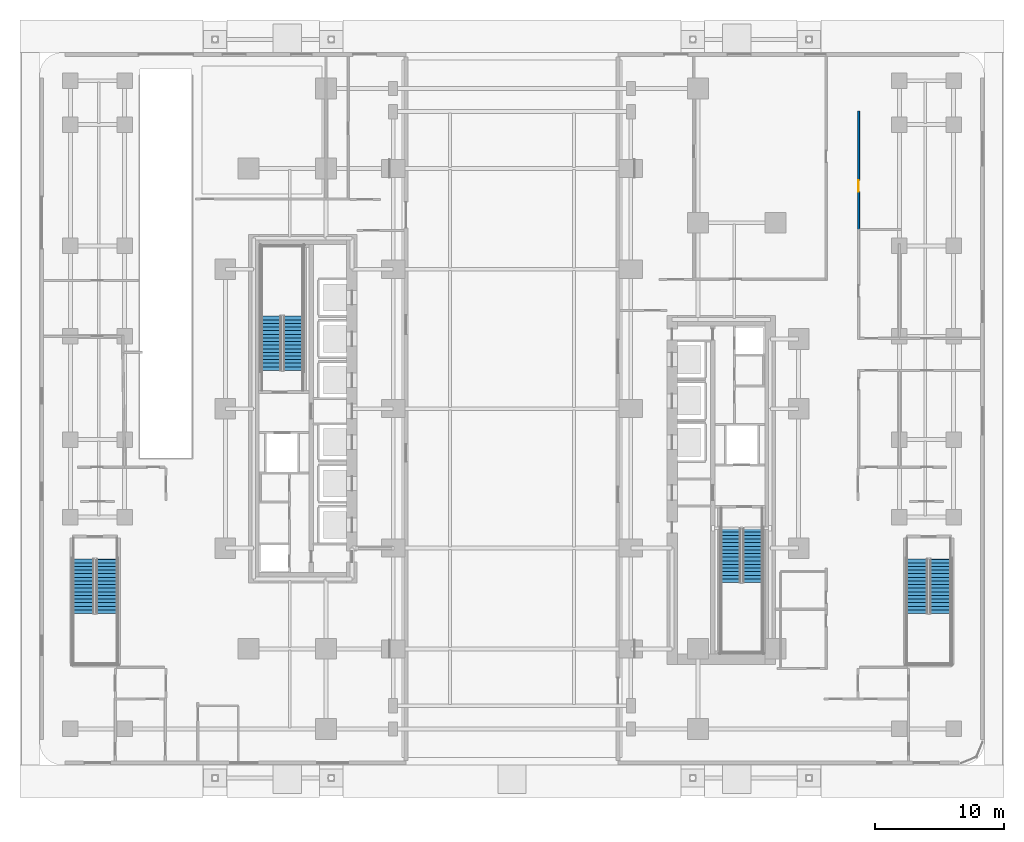
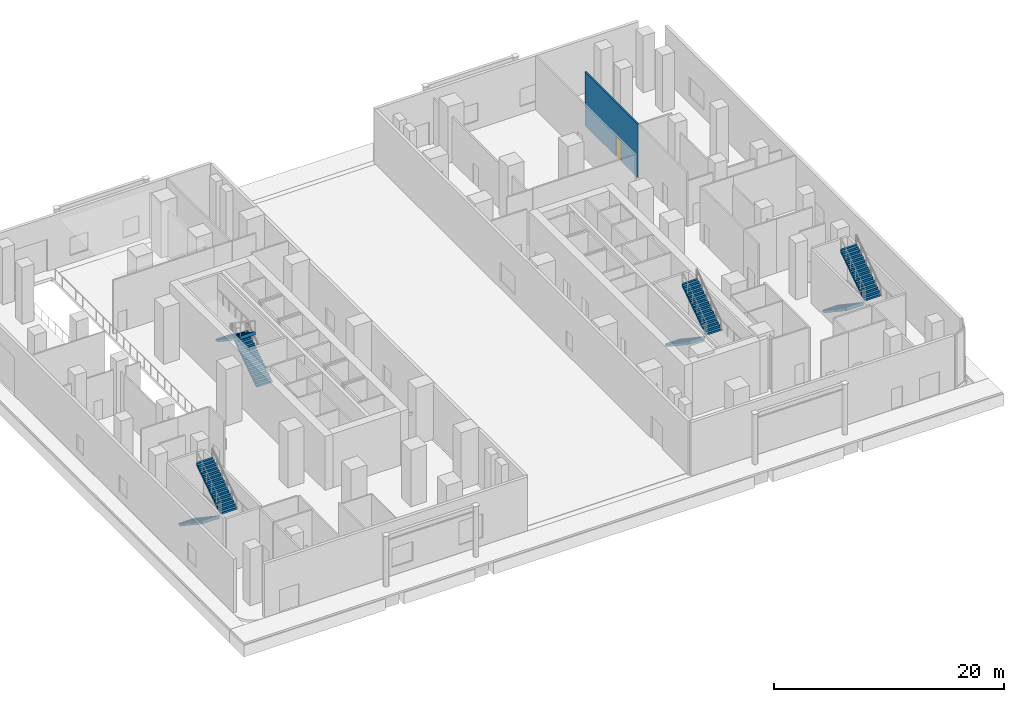
# One storey, part 14 of 22: 8 stair flights, 1 door, 1 wall, 1 opening, 4 elements without a shape of their own.
"""IFC4 building model written with IfcOpenShell, lengths in metres."""

from ifc_helpers import new_model, si_unit, direction, frame, frame_2d, origin, place, context, subcontext, project, spatial, polyline, rectangle, outline, extrude, material, layer, layer_set, type_object, element, fill, aggregate, save


model = new_model("IFC4")

# Units and contexts
model_context = context("Model", 3, precision=1e-05, world=origin(), true_north=direction((0.0, 1.0)))
body_context = subcontext(model_context, "Body", "Model", "MODEL_VIEW")
ifc_project = project(units=[si_unit("LENGTHUNIT", "METRE"), si_unit("AREAUNIT", "SQUARE_METRE"), si_unit("VOLUMEUNIT", "CUBIC_METRE"), si_unit("PLANEANGLEUNIT", "RADIAN"), si_unit("MASSUNIT", "GRAM", prefix="KILO")], contexts=[model_context])

# Site, building, storey
site_placement = place(None, origin())
site = spatial("IfcSite", under=ifc_project, at=site_placement, CompositionType="ELEMENT")
building_placement = place(site_placement, origin())
building = spatial("IfcBuilding", under=site, at=building_placement, Name="Khairoan Windgate Tower", CompositionType="ELEMENT")
storey_placement = place(building_placement, origin())
storey = spatial("IfcBuildingStorey", under=building, at=storey_placement, Name="L01", CompositionType="ELEMENT", Elevation=0.0)

# Wall, opening, door
ifc_material_1 = material(Name="Acoustic Fire-Rated Gypsum Partition", Category="gypsum")
ifc_layer_1 = layer(ifc_material_1, 0.14990234375, Name="Acoustic Fire-Rated Gypsum Partition")
ifc_layer_set_1 = layer_set([ifc_layer_1], Name="Acoustic Fire-Rated Gypsum Partition")
wall_type = type_object("IfcWallType", Name="Rated Corridor Partition Wall", PredefinedType="PARTITIONING", material=ifc_layer_set_1)
wall_placement = place(storey_placement, frame((26.840087890625, 13.8798828125, 0.0), z_axis=(0.0, 0.0, 1.0), x_axis=(0.0, 1.0, 0.0)))
wall = element("IfcWall", 1, at=wall_placement, inside=storey, type_object=wall_type, Name="L01 Interior Partition 030", PredefinedType="PARTITIONING", context=body_context, shape_type="SweptSolid", body=[
    extrude(rectangle(XDim=9.16015625, YDim=0.14990234375, at=frame_2d((4.580078125, 0.0))), origin(), (0.0, 0.0, 1.0), 5.699951171875),
])
opening_placement = place(wall_placement, frame((2.90673828125, 0.0, 0.0)))
opening = element("IfcOpeningElement", 2, at=opening_placement, cuts=wall, Name="Opening FD-ENT", PredefinedType="OPENING", context=body_context, shape_type="SweptSolid", body=[
    extrude(rectangle(XDim=0.89990234375, YDim=2.14990234375, at=frame_2d((0.449951171875, 1.074951171875))), frame((0.0, 0.0849609375, 0.0), z_axis=(0.0, -1.0, 0.0), x_axis=(1.0, 0.0, 0.0)), (0.0, 0.0, 1.0), 0.169921875),
])
ifc_material_2 = material(Name="Timber Fire-Rated Core", Category="wood")
door_type = type_object("IfcDoorType", Name="Unit and Office Fire Entrance Door FD-ENT 900x2150", OperationType="NOTDEFINED", PredefinedType="DOOR", material=ifc_material_2)
door_placement = place(opening_placement, origin())
door = element("IfcDoor", 3, at=door_placement, inside=storey, type_object=door_type, Name="L01 L01-50-L01-65 Door", OperationType="SINGLE_SWING_LEFT", OverallHeight=2.14990234375, OverallWidth=0.89990234375, PredefinedType="DOOR", context=body_context, shape_type="SweptSolid", body=[
    extrude(rectangle(XDim=0.89990234375, YDim=2.14990234375, at=frame_2d((0.449951171875, 1.074951171875))), frame((0.0, 0.02490234375, 0.0), z_axis=(0.0, -1.0, 0.0), x_axis=(1.0, 0.0, 0.0)), (0.0, 0.0, 1.0), 0.050048828125),
])
fill(opening, door)

# Stair, stair flights
ifc_material_3 = material(Name="Concrete C40/50", Category="concrete")
stair_type_1 = type_object("IfcStairType", Name="Podium Exit Dog-Leg Stair ST-T2 1660mm", PredefinedType="HALF_TURN_STAIR", material=ifc_material_3)
stair_1_placement = place(storey_placement, origin())
stair_1 = element("IfcStair", 4, at=stair_1_placement, inside=storey, type_object=stair_type_1, Name="L01 Stair ST3", PredefinedType="HALF_TURN_STAIR")
ifc_material_4 = material(Name="Concrete C40/50", Category="concrete")
ifc_layer_2 = layer(ifc_material_4, 0.14990234375, Name="Concrete C40/50")
ifc_layer_set_2 = layer_set([ifc_layer_2], Name="Concrete C40/50")
stair_flight_type_1 = type_object("IfcStairFlightType", Name="Podium Stair Flight STF-1660", PredefinedType="STRAIGHT", material=ifc_layer_set_2)
stair_flight_1_placement = place(storey_placement, frame((31.3798828125, -11.659912109375, 0.0), z_axis=(0.0, 0.0, 1.0), x_axis=(0.0, -1.0, 0.0)))
stair_flight_1 = element("IfcStairFlight", 5, at=stair_flight_1_placement, type_object=stair_flight_type_1, Name="ST3 flight 1", NumberOfRisers=16, NumberOfTreads=15, PredefinedType="STRAIGHT", RiserHeight=0.1875, TreadLength=0.28, context=body_context, shape_type="SweptSolid", body=[
    extrude(outline(polyline([(-0.00390625, 0.0), (-0.00390625, 0.1875), (0.0, 0.1875), (0.280029296875, 0.1875), (0.280029296875, 0.375), (0.56005859375, 0.375), (0.56005859375, 0.5625), (0.840087890625, 0.5625), (0.840087890625, 0.75), (1.1201171875, 0.75), (1.1201171875, 0.9375), (1.39990234375, 0.9375), (1.39990234375, 1.125), (1.679931640625, 1.125), (1.679931640625, 1.3125), (1.9599609375, 1.3125), (1.9599609375, 1.5), (2.239990234375, 1.5), (2.239990234375, 1.6875), (2.52001953125, 1.6875), (2.52001953125, 1.875), (2.800048828125, 1.875), (2.800048828125, 2.0625), (3.080078125, 2.0625), (3.080078125, 2.25), (3.360107421875, 2.25), (3.360107421875, 2.4375), (3.639892578125, 2.4375), (3.639892578125, 2.625), (3.919921875, 2.625), (3.919921875, 2.8125), (4.199951171875, 2.8125), (4.199951171875, 3.0), (4.2041015625, 3.0), (4.2041015625, 2.632080078125), (0.26953125, 0.0), (-0.00390625, 0.0)])), frame((0.0, 0.830078125, 0.0), z_axis=(0.0, -1.0, 0.0), x_axis=(1.0, 0.0, 0.0)), (0.0, 0.0, 1.0), 1.659912109375),
])
stair_flight_2_placement = place(storey_placement, frame((33.18994140625, -15.860107421875, 3.0), z_axis=(0.0, 0.0, 1.0), x_axis=(0.0, 1.0, 0.0)))
stair_flight_2 = element("IfcStairFlight", 6, at=stair_flight_2_placement, type_object=stair_flight_type_1, Name="ST3 flight 2", NumberOfRisers=16, NumberOfTreads=15, PredefinedType="STRAIGHT", RiserHeight=0.1875, TreadLength=0.28, context=body_context, shape_type="SweptSolid", body=[
    extrude(outline(polyline([(-0.00390625, 0.0), (-0.00390625, 0.1875), (0.0, 0.1875), (0.280029296875, 0.1875), (0.280029296875, 0.375), (0.56005859375, 0.375), (0.56005859375, 0.5625), (0.840087890625, 0.5625), (0.840087890625, 0.75), (1.1201171875, 0.75), (1.1201171875, 0.9375), (1.39990234375, 0.9375), (1.39990234375, 1.125), (1.679931640625, 1.125), (1.679931640625, 1.3125), (1.9599609375, 1.3125), (1.9599609375, 1.5), (2.239990234375, 1.5), (2.239990234375, 1.6875), (2.52001953125, 1.6875), (2.52001953125, 1.875), (2.800048828125, 1.875), (2.800048828125, 2.0625), (3.080078125, 2.0625), (3.080078125, 2.25), (3.360107421875, 2.25), (3.360107421875, 2.4375), (3.639892578125, 2.4375), (3.639892578125, 2.625), (3.919921875, 2.625), (3.919921875, 2.8125), (4.199951171875, 2.8125), (4.199951171875, 3.0), (4.2041015625, 3.0), (4.2041015625, 2.632080078125), (0.26953125, 0.0), (-0.00390625, 0.0)])), frame((0.0, 0.830078125, 0.0), z_axis=(0.0, -1.0, 0.0), x_axis=(1.0, 0.0, 0.0)), (0.0, 0.0, 1.0), 1.659912109375),
])
aggregate(stair_1, [stair_flight_1, stair_flight_2])

stair_2_placement = place(storey_placement, origin())
stair_2 = element("IfcStair", 7, at=stair_2_placement, inside=storey, type_object=stair_type_1, Name="L01 Stair ST4", PredefinedType="HALF_TURN_STAIR")
stair_flight_3_placement = place(storey_placement, frame((-33.18994140625, -11.659912109375, 0.0), z_axis=(0.0, 0.0, 1.0), x_axis=(0.0, -1.0, 0.0)))
stair_flight_3 = element("IfcStairFlight", 8, at=stair_flight_3_placement, type_object=stair_flight_type_1, Name="ST4 flight 1", NumberOfRisers=16, NumberOfTreads=15, PredefinedType="STRAIGHT", RiserHeight=0.1875, TreadLength=0.28, context=body_context, shape_type="SweptSolid", body=[
    extrude(outline(polyline([(-0.00390625, 0.0), (-0.00390625, 0.1875), (0.0, 0.1875), (0.280029296875, 0.1875), (0.280029296875, 0.375), (0.56005859375, 0.375), (0.56005859375, 0.5625), (0.840087890625, 0.5625), (0.840087890625, 0.75), (1.1201171875, 0.75), (1.1201171875, 0.9375), (1.39990234375, 0.9375), (1.39990234375, 1.125), (1.679931640625, 1.125), (1.679931640625, 1.3125), (1.9599609375, 1.3125), (1.9599609375, 1.5), (2.239990234375, 1.5), (2.239990234375, 1.6875), (2.52001953125, 1.6875), (2.52001953125, 1.875), (2.800048828125, 1.875), (2.800048828125, 2.0625), (3.080078125, 2.0625), (3.080078125, 2.25), (3.360107421875, 2.25), (3.360107421875, 2.4375), (3.639892578125, 2.4375), (3.639892578125, 2.625), (3.919921875, 2.625), (3.919921875, 2.8125), (4.199951171875, 2.8125), (4.199951171875, 3.0), (4.2041015625, 3.0), (4.2041015625, 2.632080078125), (0.26953125, 0.0), (-0.00390625, 0.0)])), frame((0.0, 0.830078125, 0.0), z_axis=(0.0, -1.0, 0.0), x_axis=(1.0, 0.0, 0.0)), (0.0, 0.0, 1.0), 1.659912109375),
])
stair_flight_4_placement = place(storey_placement, frame((-31.3798828125, -15.860107421875, 3.0), z_axis=(0.0, 0.0, 1.0), x_axis=(0.0, 1.0, 0.0)))
stair_flight_4 = element("IfcStairFlight", 9, at=stair_flight_4_placement, type_object=stair_flight_type_1, Name="ST4 flight 2", NumberOfRisers=16, NumberOfTreads=15, PredefinedType="STRAIGHT", RiserHeight=0.1875, TreadLength=0.28, context=body_context, shape_type="SweptSolid", body=[
    extrude(outline(polyline([(-0.00390625, 0.0), (-0.00390625, 0.1875), (0.0, 0.1875), (0.280029296875, 0.1875), (0.280029296875, 0.375), (0.56005859375, 0.375), (0.56005859375, 0.5625), (0.840087890625, 0.5625), (0.840087890625, 0.75), (1.1201171875, 0.75), (1.1201171875, 0.9375), (1.39990234375, 0.9375), (1.39990234375, 1.125), (1.679931640625, 1.125), (1.679931640625, 1.3125), (1.9599609375, 1.3125), (1.9599609375, 1.5), (2.239990234375, 1.5), (2.239990234375, 1.6875), (2.52001953125, 1.6875), (2.52001953125, 1.875), (2.800048828125, 1.875), (2.800048828125, 2.0625), (3.080078125, 2.0625), (3.080078125, 2.25), (3.360107421875, 2.25), (3.360107421875, 2.4375), (3.639892578125, 2.4375), (3.639892578125, 2.625), (3.919921875, 2.625), (3.919921875, 2.8125), (4.199951171875, 2.8125), (4.199951171875, 3.0), (4.2041015625, 3.0), (4.2041015625, 2.632080078125), (0.26953125, 0.0), (-0.00390625, 0.0)])), frame((0.0, 0.830078125, 0.0), z_axis=(0.0, -1.0, 0.0), x_axis=(1.0, 0.0, 0.0)), (0.0, 0.0, 1.0), 1.659912109375),
])
aggregate(stair_2, [stair_flight_3, stair_flight_4])

ifc_material_5 = material(Name="Concrete C40/50", Category="concrete")
stair_type_2 = type_object("IfcStairType", Name="Tower Core Dog-Leg Stair ST-T1 1560mm", PredefinedType="HALF_TURN_STAIR", material=ifc_material_5)
stair_3_placement = place(storey_placement, origin())
stair_3 = element("IfcStair", 10, at=stair_3_placement, inside=storey, type_object=stair_type_2, Name="L01 Stair ST1", PredefinedType="HALF_TURN_STAIR")
ifc_material_6 = material(Name="Concrete C40/50", Category="concrete")
ifc_layer_3 = layer(ifc_material_6, 0.14990234375, Name="Concrete C40/50")
ifc_layer_set_3 = layer_set([ifc_layer_3], Name="Concrete C40/50")
stair_flight_type_2 = type_object("IfcStairFlightType", Name="Tower Core Stair Flight STF-1560", PredefinedType="STRAIGHT", material=ifc_layer_set_3)
stair_flight_5_placement = place(storey_placement, frame((16.929931640625, -9.260009765625, 0.0), z_axis=(0.0, 0.0, 1.0), x_axis=(0.0, -1.0, 0.0)))
stair_flight_5 = element("IfcStairFlight", 11, at=stair_flight_5_placement, type_object=stair_flight_type_2, Name="ST1 flight 1", NumberOfRisers=16, NumberOfTreads=15, PredefinedType="STRAIGHT", RiserHeight=0.1875, TreadLength=0.28, context=body_context, shape_type="SweptSolid", body=[
    extrude(outline(polyline([(-0.00390625, 0.0), (-0.00390625, 0.1875), (0.0, 0.1875), (0.280029296875, 0.1875), (0.280029296875, 0.375), (0.56005859375, 0.375), (0.56005859375, 0.5625), (0.840087890625, 0.5625), (0.840087890625, 0.75), (1.1201171875, 0.75), (1.1201171875, 0.9375), (1.39990234375, 0.9375), (1.39990234375, 1.125), (1.679931640625, 1.125), (1.679931640625, 1.3125), (1.9599609375, 1.3125), (1.9599609375, 1.5), (2.239990234375, 1.5), (2.239990234375, 1.6875), (2.52001953125, 1.6875), (2.52001953125, 1.875), (2.800048828125, 1.875), (2.800048828125, 2.0625), (3.080078125, 2.0625), (3.080078125, 2.25), (3.360107421875, 2.25), (3.360107421875, 2.4375), (3.639892578125, 2.4375), (3.639892578125, 2.625), (3.919921875, 2.625), (3.919921875, 2.8125), (4.199951171875, 2.8125), (4.199951171875, 3.0), (4.2041015625, 3.0), (4.2041015625, 2.632080078125), (0.26953125, 0.0), (-0.00390625, 0.0)])), frame((0.0, 0.780029296875, 0.0), z_axis=(0.0, -1.0, 0.0), x_axis=(1.0, 0.0, 0.0)), (0.0, 0.0, 1.0), 1.56005859375),
])
stair_flight_6_placement = place(storey_placement, frame((18.639892578125, -13.4599609375, 3.0), z_axis=(0.0, 0.0, 1.0), x_axis=(0.0, 1.0, 0.0)))
stair_flight_6 = element("IfcStairFlight", 12, at=stair_flight_6_placement, type_object=stair_flight_type_2, Name="ST1 flight 2", NumberOfRisers=16, NumberOfTreads=15, PredefinedType="STRAIGHT", RiserHeight=0.1875, TreadLength=0.28, context=body_context, shape_type="SweptSolid", body=[
    extrude(outline(polyline([(-0.00390625, 0.0), (-0.00390625, 0.1875), (0.0, 0.1875), (0.280029296875, 0.1875), (0.280029296875, 0.375), (0.56005859375, 0.375), (0.56005859375, 0.5625), (0.840087890625, 0.5625), (0.840087890625, 0.75), (1.1201171875, 0.75), (1.1201171875, 0.9375), (1.39990234375, 0.9375), (1.39990234375, 1.125), (1.679931640625, 1.125), (1.679931640625, 1.3125), (1.9599609375, 1.3125), (1.9599609375, 1.5), (2.239990234375, 1.5), (2.239990234375, 1.6875), (2.52001953125, 1.6875), (2.52001953125, 1.875), (2.800048828125, 1.875), (2.800048828125, 2.0625), (3.080078125, 2.0625), (3.080078125, 2.25), (3.360107421875, 2.25), (3.360107421875, 2.4375), (3.639892578125, 2.4375), (3.639892578125, 2.625), (3.919921875, 2.625), (3.919921875, 2.8125), (4.199951171875, 2.8125), (4.199951171875, 3.0), (4.2041015625, 3.0), (4.2041015625, 2.632080078125), (0.26953125, 0.0), (-0.00390625, 0.0)])), frame((0.0, 0.780029296875, 0.0), z_axis=(0.0, -1.0, 0.0), x_axis=(1.0, 0.0, 0.0)), (0.0, 0.0, 1.0), 1.56005859375),
])
aggregate(stair_3, [stair_flight_5, stair_flight_6])

stair_4_placement = place(storey_placement, origin())
stair_4 = element("IfcStair", 13, at=stair_4_placement, inside=storey, type_object=stair_type_2, Name="L01 Stair ST2", PredefinedType="HALF_TURN_STAIR")
stair_flight_7_placement = place(storey_placement, frame((-16.929931640625, 2.9599609375, 0.0), z_axis=(0.0, 0.0, 1.0), x_axis=(0.0, 1.0, 0.0)))
stair_flight_7 = element("IfcStairFlight", 14, at=stair_flight_7_placement, type_object=stair_flight_type_2, Name="ST2 flight 1", NumberOfRisers=16, NumberOfTreads=15, PredefinedType="STRAIGHT", RiserHeight=0.1875, TreadLength=0.28, context=body_context, shape_type="SweptSolid", body=[
    extrude(outline(polyline([(-0.00390625, 0.0), (-0.00390625, 0.1875), (0.0, 0.1875), (0.280029296875, 0.1875), (0.280029296875, 0.375), (0.56005859375, 0.375), (0.56005859375, 0.5625), (0.840087890625, 0.5625), (0.840087890625, 0.75), (1.1201171875, 0.75), (1.1201171875, 0.9375), (1.39990234375, 0.9375), (1.39990234375, 1.125), (1.679931640625, 1.125), (1.679931640625, 1.3125), (1.9599609375, 1.3125), (1.9599609375, 1.5), (2.239990234375, 1.5), (2.239990234375, 1.6875), (2.52001953125, 1.6875), (2.52001953125, 1.875), (2.800048828125, 1.875), (2.800048828125, 2.0625), (3.080078125, 2.0625), (3.080078125, 2.25), (3.360107421875, 2.25), (3.360107421875, 2.4375), (3.639892578125, 2.4375), (3.639892578125, 2.625), (3.919921875, 2.625), (3.919921875, 2.8125), (4.199951171875, 2.8125), (4.199951171875, 3.0), (4.2041015625, 3.0), (4.2041015625, 2.632080078125), (0.26953125, 0.0), (-0.00390625, 0.0)])), frame((0.0, 0.780029296875, 0.0), z_axis=(0.0, -1.0, 0.0), x_axis=(1.0, 0.0, 0.0)), (0.0, 0.0, 1.0), 1.56005859375),
])
stair_flight_8_placement = place(storey_placement, frame((-18.639892578125, 7.159912109375, 3.0), z_axis=(0.0, 0.0, 1.0), x_axis=(0.0, -1.0, 0.0)))
stair_flight_8 = element("IfcStairFlight", 15, at=stair_flight_8_placement, type_object=stair_flight_type_2, Name="ST2 flight 2", NumberOfRisers=16, NumberOfTreads=15, PredefinedType="STRAIGHT", RiserHeight=0.1875, TreadLength=0.28, context=body_context, shape_type="SweptSolid", body=[
    extrude(outline(polyline([(-0.00390625, 0.0), (-0.00390625, 0.1875), (0.0, 0.1875), (0.280029296875, 0.1875), (0.280029296875, 0.375), (0.56005859375, 0.375), (0.56005859375, 0.5625), (0.840087890625, 0.5625), (0.840087890625, 0.75), (1.1201171875, 0.75), (1.1201171875, 0.9375), (1.39990234375, 0.9375), (1.39990234375, 1.125), (1.679931640625, 1.125), (1.679931640625, 1.3125), (1.9599609375, 1.3125), (1.9599609375, 1.5), (2.239990234375, 1.5), (2.239990234375, 1.6875), (2.52001953125, 1.6875), (2.52001953125, 1.875), (2.800048828125, 1.875), (2.800048828125, 2.0625), (3.080078125, 2.0625), (3.080078125, 2.25), (3.360107421875, 2.25), (3.360107421875, 2.4375), (3.639892578125, 2.4375), (3.639892578125, 2.625), (3.919921875, 2.625), (3.919921875, 2.8125), (4.199951171875, 2.8125), (4.199951171875, 3.0), (4.2041015625, 3.0), (4.2041015625, 2.632080078125), (0.26953125, 0.0), (-0.00390625, 0.0)])), frame((0.0, 0.780029296875, 0.0), z_axis=(0.0, -1.0, 0.0), x_axis=(1.0, 0.0, 0.0)), (0.0, 0.0, 1.0), 1.56005859375),
])
aggregate(stair_4, [stair_flight_7, stair_flight_8])

save(model, "model.ifc")
